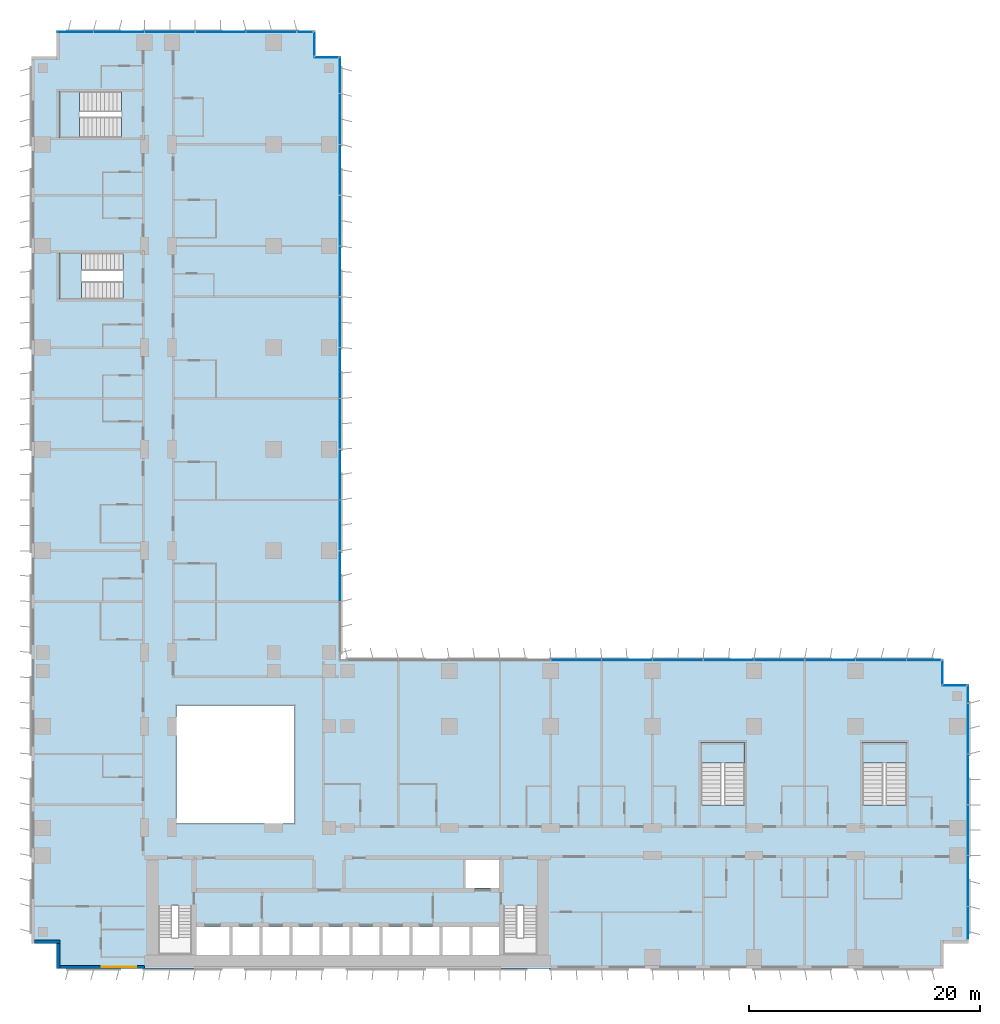
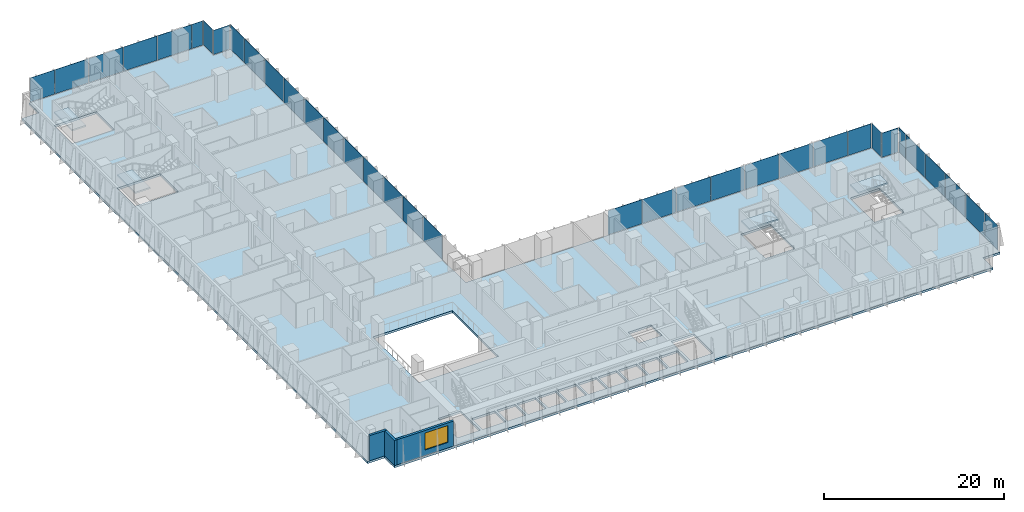
# One storey, part 11 of 24: 35 plates, 5 slabs, 3 walls, 1 window, 1 opening, 12 elements without a shape of their own.
"""IFC4 building model written with IfcOpenShell, lengths in metres."""

from ifc_helpers import new_model, si_unit, direction, frame, frame_2d, origin, origin_2d, place, context, subcontext, project, spatial, polyline, rectangle, outline, extrude, source, transform, mapped, material, layer, layer_set, type_object, element, fill, aggregate, save


model = new_model("IFC4")

# Units and contexts
model_context = context("Model", 3, precision=1e-05, world=origin(), true_north=direction((0.0, 1.0)))
body_context = subcontext(model_context, "Body", "Model", "MODEL_VIEW")
ifc_project = project(units=[si_unit("LENGTHUNIT", "METRE"), si_unit("AREAUNIT", "SQUARE_METRE"), si_unit("VOLUMEUNIT", "CUBIC_METRE"), si_unit("PLANEANGLEUNIT", "RADIAN"), si_unit("MASSUNIT", "GRAM", prefix="KILO")], contexts=[model_context])

# Site, building, storey
site_placement = place(None, origin())
site = spatial("IfcSite", under=ifc_project, at=site_placement, CompositionType="ELEMENT")
building_placement = place(site_placement, origin())
building = spatial("IfcBuilding", under=site, at=building_placement, Name="Kemantara Hotel Tower", CompositionType="ELEMENT")
storey_placement = place(building_placement, frame((0.0, 0.0, 48.800048828125)))
storey = spatial("IfcBuildingStorey", under=building, at=storey_placement, Name="L10", CompositionType="ELEMENT", Elevation=48.800048828125)

# Slab
ifc_material_1 = material(Name="Concrete fc 40 MPa", Category="concrete")
ifc_layer_1 = layer(ifc_material_1, 0.300048828125)
ifc_layer_set_1 = layer_set([ifc_layer_1], Name="Concrete fc 40 MPa")
slab_type_1 = type_object("IfcSlabType", Name="POST-TENSIONED FLAT PLATE 300", PredefinedType="FLOOR", material=ifc_layer_set_1)
slab_1_placement = place(storey_placement, frame((0.0, 0.0, -0.300048828125)))
element("IfcSlab", 1, at=slab_1_placement, inside=storey, type_object=slab_type_1, Name="FLOOR SLAB L10", PredefinedType="FLOOR", context=body_context, shape_type="SweptSolid", body=[
    extrude(outline(polyline([(0.0, 2.199951171875), (2.199951171875, 2.199951171875), (2.199951171875, 0.0), (79.0, 0.0), (79.0, 2.199951171875), (81.199951171875, 2.199951171875), (81.199951171875, 24.60009765625), (79.0, 24.60009765625), (79.0, 26.800048828125), (26.800048828125, 26.800048828125), (26.800048828125, 79.0), (24.60009765625, 79.0), (24.60009765625, 81.199951171875), (2.199951171875, 81.199951171875), (2.199951171875, 79.0), (0.0, 79.0), (0.0, 2.199951171875)]), holes=[polyline([(17.175048828125, 1.199951171875), (14.22509765625, 1.199951171875), (14.22509765625, 3.60009765625), (17.175048828125, 3.60009765625), (17.175048828125, 1.199951171875)]), polyline([(19.77490234375, 1.199951171875), (17.425048828125, 1.199951171875), (17.425048828125, 3.60009765625), (19.77490234375, 3.60009765625), (19.77490234375, 1.199951171875)]), polyline([(22.375, 1.199951171875), (20.02490234375, 1.199951171875), (20.02490234375, 3.60009765625), (22.375, 3.60009765625), (22.375, 1.199951171875)]), polyline([(24.97509765625, 1.199951171875), (22.625, 1.199951171875), (22.625, 3.60009765625), (24.97509765625, 3.60009765625), (24.97509765625, 1.199951171875)]), polyline([(27.574951171875, 1.199951171875), (25.22509765625, 1.199951171875), (25.22509765625, 3.60009765625), (27.574951171875, 3.60009765625), (27.574951171875, 1.199951171875)]), polyline([(11.0, 1.199951171875), (11.0, 5.49951171875), (13.89990234375, 5.49951171875), (13.89990234375, 1.199951171875), (11.0, 1.199951171875)]), polyline([(22.800048828125, 12.60009765625), (12.60009765625, 12.60009765625), (12.60009765625, 22.800048828125), (22.800048828125, 22.800048828125), (22.800048828125, 12.60009765625)]), polyline([(7.949462890625, 62.0), (7.949462890625, 58.0), (2.39990234375, 58.0), (2.39990234375, 62.0), (7.949462890625, 62.0)]), polyline([(7.79931640625, 76.0), (7.79931640625, 72.0), (2.39990234375, 72.0), (2.39990234375, 76.0), (7.79931640625, 76.0)]), polyline([(30.175048828125, 1.199951171875), (27.824951171875, 1.199951171875), (27.824951171875, 3.60009765625), (30.175048828125, 3.60009765625), (30.175048828125, 1.199951171875)]), polyline([(32.77490234375, 1.199951171875), (30.425048828125, 1.199951171875), (30.425048828125, 3.60009765625), (32.77490234375, 3.60009765625), (32.77490234375, 1.199951171875)]), polyline([(35.375, 1.199951171875), (33.02490234375, 1.199951171875), (33.02490234375, 3.60009765625), (35.375, 3.60009765625), (35.375, 1.199951171875)]), polyline([(37.97509765625, 1.199951171875), (35.625, 1.199951171875), (35.625, 3.60009765625), (37.97509765625, 3.60009765625), (37.97509765625, 1.199951171875)]), polyline([(40.574951171875, 1.199951171875), (38.22509765625, 1.199951171875), (38.22509765625, 3.60009765625), (40.574951171875, 3.60009765625), (40.574951171875, 1.199951171875)]), polyline([(40.89990234375, 1.199951171875), (40.89990234375, 5.49951171875), (43.800048828125, 5.49951171875), (43.800048828125, 1.199951171875), (40.89990234375, 1.199951171875)]), polyline([(40.574951171875, 7.0), (37.625, 7.0), (37.625, 9.39990234375), (40.574951171875, 9.39990234375), (40.574951171875, 7.0)]), polyline([(61.800048828125, 14.20068359375), (58.0, 14.20068359375), (58.0, 19.60009765625), (61.800048828125, 19.60009765625), (61.800048828125, 14.20068359375)]), polyline([(75.800048828125, 14.20068359375), (72.0, 14.20068359375), (72.0, 19.60009765625), (75.800048828125, 19.60009765625), (75.800048828125, 14.20068359375)])]), origin(), (0.0, 0.0, 1.0), 0.300048828125),
])

# Stair, slab
stair_type_1 = type_object("IfcStairType", Name="Stair 1800 wide 22 risers of 168 x 360 mm", PredefinedType="HALF_TURN_STAIR", material=ifc_material_1)
stair_1_placement = place(storey_placement, origin())
stair_1 = element("IfcStair", 2, at=stair_1_placement, inside=storey, type_object=stair_type_1, Name="L10 Exit stair ST3", PredefinedType="HALF_TURN_STAIR")
ifc_layer_2 = layer(ifc_material_1, 0.199951171875)
ifc_layer_set_2 = layer_set([ifc_layer_2], Name="Concrete fc 40 MPa")
slab_type_2 = type_object("IfcSlabType", Name="Stair landing 200 mm", PredefinedType="LANDING", material=ifc_layer_set_2)
slab_2_placement = place(storey_placement, frame((0.0, 0.0, 1.64990234375)))
slab_2 = element("IfcSlab", 3, at=slab_2_placement, type_object=slab_type_2, Name="ST3 landing 1", PredefinedType="LANDING", context=body_context, shape_type="SweptSolid", body=[
    extrude(outline(polyline([(61.800048828125, 17.800048828125), (61.800048828125, 19.60009765625), (58.0, 19.60009765625), (58.0, 17.800048828125), (61.800048828125, 17.800048828125)])), origin(), (0.0, 0.0, 1.0), 0.199951171875),
])
aggregate(stair_1, [slab_2])

stair_type_2 = type_object("IfcStairType", Name="Stair 1550 wide 22 risers of 168 x 360 mm", PredefinedType="HALF_TURN_STAIR", material=ifc_material_1)
stair_2_placement = place(storey_placement, origin())
stair_2 = element("IfcStair", 4, at=stair_2_placement, inside=storey, type_object=stair_type_2, Name="L10 Exit stair ST4", PredefinedType="HALF_TURN_STAIR")
slab_3_placement = place(storey_placement, frame((0.0, 0.0, 1.64990234375)))
slab_3 = element("IfcSlab", 5, at=slab_3_placement, type_object=slab_type_2, Name="ST4 landing 1", PredefinedType="LANDING", context=body_context, shape_type="SweptSolid", body=[
    extrude(outline(polyline([(4.35009765625, 62.0), (2.39990234375, 62.0), (2.39990234375, 58.0), (4.35009765625, 58.0), (4.35009765625, 62.0)])), origin(), (0.0, 0.0, 1.0), 0.199951171875),
])
aggregate(stair_2, [slab_3])

stair_3_placement = place(storey_placement, origin())
stair_3 = element("IfcStair", 6, at=stair_3_placement, inside=storey, type_object=stair_type_1, Name="L10 Exit stair ST5", PredefinedType="HALF_TURN_STAIR")
slab_4_placement = place(storey_placement, frame((0.0, 0.0, 1.64990234375)))
slab_4 = element("IfcSlab", 7, at=slab_4_placement, type_object=slab_type_2, Name="ST5 landing 1", PredefinedType="LANDING", context=body_context, shape_type="SweptSolid", body=[
    extrude(outline(polyline([(75.800048828125, 17.800048828125), (75.800048828125, 19.60009765625), (72.0, 19.60009765625), (72.0, 17.800048828125), (75.800048828125, 17.800048828125)])), origin(), (0.0, 0.0, 1.0), 0.199951171875),
])
aggregate(stair_3, [slab_4])

stair_4_placement = place(storey_placement, origin())
stair_4 = element("IfcStair", 8, at=stair_4_placement, inside=storey, type_object=stair_type_1, Name="L10 Exit stair ST6", PredefinedType="HALF_TURN_STAIR")
slab_5_placement = place(storey_placement, frame((0.0, 0.0, 1.64990234375)))
slab_5 = element("IfcSlab", 9, at=slab_5_placement, type_object=slab_type_2, Name="ST6 landing 1", PredefinedType="LANDING", context=body_context, shape_type="SweptSolid", body=[
    extrude(outline(polyline([(4.199951171875, 76.0), (2.39990234375, 76.0), (2.39990234375, 72.0), (4.199951171875, 72.0), (4.199951171875, 76.0)])), origin(), (0.0, 0.0, 1.0), 0.199951171875),
])
aggregate(stair_4, [slab_5])

# Curtain wall, plates
ifc_material_2 = material(Name="Low-E tinted double insulated glass 36 mm", Category="glass")
curtain_wall_type = type_object("IfcCurtainWallType", Name="TOWER CURTAIN WALL, FRONT FACES", PredefinedType="USERDEFINED", material=ifc_material_2)
curtain_wall_1_placement = place(storey_placement, origin())
curtain_wall_1 = element("IfcCurtainWall", 10, at=curtain_wall_1_placement, inside=storey, type_object=curtain_wall_type, Name="CW4 L10 T1-R04-1", ObjectType="TOWER CURTAIN WALL, FRONT FACES", PredefinedType="USERDEFINED")
ifc_layer_3 = layer(ifc_material_2, 0.035888671875)
ifc_layer_set_3 = layer_set([ifc_layer_3], Name="Low-E tinted double insulated glass 36 mm")
plate_type = type_object("IfcPlateType", Name="TOWER CURTAIN WALL, FRONT FACES PANEL", PredefinedType="CURTAIN_PANEL", material=ifc_layer_set_3)
shared_shape_1 = source(origin(), body_context, "Body", "SweptSolid", [
    extrude(rectangle(XDim=2.81005859375, YDim=0.035888671875, at=origin_2d()), origin(), (0.0, 0.0, 1.0), 3.280029296875),
])
plate_1_placement = place(storey_placement, frame((81.125, 3.965087890625, 0.1201171875), z_axis=(0.0, 0.0, 1.0), x_axis=(0.0, 1.0, 0.0)))
plate_1 = element("IfcPlate", 11, at=plate_1_placement, type_object=plate_type, Name="CW4 glass panel T1-R04-1.1", PredefinedType="CURTAIN_PANEL", context=body_context, shape_type="MappedRepresentation", body=[
    mapped(shared_shape_1, transform((0.0, 0.0, 0.0))),
])
shared_shape_2 = source(origin(), body_context, "Body", "SweptSolid", [
    extrude(rectangle(XDim=4.340087890625, YDim=0.035888671875, at=origin_2d()), origin(), (0.0, 0.0, 1.0), 3.280029296875),
])
plate_2_placement = place(storey_placement, frame((81.125, 7.60009765625, 0.1201171875), z_axis=(0.0, 0.0, 1.0), x_axis=(0.0, 1.0, 0.0)))
plate_2 = element("IfcPlate", 12, at=plate_2_placement, type_object=plate_type, Name="CW4 glass panel T1-R04-1.2", PredefinedType="CURTAIN_PANEL", context=body_context, shape_type="MappedRepresentation", body=[
    mapped(shared_shape_2, transform((0.0, 0.0, 0.0))),
])
plate_3_placement = place(storey_placement, frame((81.125, 12.0, 0.1201171875), z_axis=(0.0, 0.0, 1.0), x_axis=(0.0, 1.0, 0.0)))
plate_3 = element("IfcPlate", 13, at=plate_3_placement, type_object=plate_type, Name="CW4 glass panel T1-R04-1.3", PredefinedType="CURTAIN_PANEL", context=body_context, shape_type="MappedRepresentation", body=[
    mapped(shared_shape_2, transform((0.0, 0.0, 0.0))),
])
plate_4_placement = place(storey_placement, frame((81.125, 16.39990234375, 0.1201171875), z_axis=(0.0, 0.0, 1.0), x_axis=(0.0, 1.0, 0.0)))
plate_4 = element("IfcPlate", 14, at=plate_4_placement, type_object=plate_type, Name="CW4 glass panel T1-R04-1.4", PredefinedType="CURTAIN_PANEL", context=body_context, shape_type="MappedRepresentation", body=[
    mapped(shared_shape_2, transform((0.0, 0.0, 0.0))),
])
plate_5_placement = place(storey_placement, frame((81.125, 20.800048828125, 0.1201171875), z_axis=(0.0, 0.0, 1.0), x_axis=(0.0, 1.0, 0.0)))
plate_5 = element("IfcPlate", 15, at=plate_5_placement, type_object=plate_type, Name="CW4 glass panel T1-R04-1.5", PredefinedType="CURTAIN_PANEL", context=body_context, shape_type="MappedRepresentation", body=[
    mapped(shared_shape_2, transform((0.0, 0.0, 0.0))),
])

curtain_wall_2_placement = place(storey_placement, origin())
curtain_wall_2 = element("IfcCurtainWall", 16, at=curtain_wall_2_placement, inside=storey, type_object=curtain_wall_type, Name="CW4 L10 T1-R07-1", ObjectType="TOWER CURTAIN WALL, FRONT FACES", PredefinedType="USERDEFINED")
plate_6_placement = place(storey_placement, frame((73.60009765625, 26.72509765625, 0.1201171875), z_axis=(0.0, 0.0, 1.0), x_axis=(-1.0, 0.0, 0.0)))
plate_6 = element("IfcPlate", 17, at=plate_6_placement, type_object=plate_type, Name="CW4 glass panel T1-R07-1.2", PredefinedType="CURTAIN_PANEL", context=body_context, shape_type="MappedRepresentation", body=[
    mapped(shared_shape_2, transform((0.0, 0.0, 0.0))),
])
plate_7_placement = place(storey_placement, frame((69.199951171875, 26.72509765625, 0.1201171875), z_axis=(0.0, 0.0, 1.0), x_axis=(-1.0, 0.0, 0.0)))
plate_7 = element("IfcPlate", 18, at=plate_7_placement, type_object=plate_type, Name="CW4 glass panel T1-R07-1.3", PredefinedType="CURTAIN_PANEL", context=body_context, shape_type="MappedRepresentation", body=[
    mapped(shared_shape_2, transform((0.0, 0.0, 0.0))),
])
plate_8_placement = place(storey_placement, frame((64.800048828125, 26.72509765625, 0.1201171875), z_axis=(0.0, 0.0, 1.0), x_axis=(-1.0, 0.0, 0.0)))
plate_8 = element("IfcPlate", 19, at=plate_8_placement, type_object=plate_type, Name="CW4 glass panel T1-R07-1.4", PredefinedType="CURTAIN_PANEL", context=body_context, shape_type="MappedRepresentation", body=[
    mapped(shared_shape_2, transform((0.0, 0.0, 0.0))),
])
plate_9_placement = place(storey_placement, frame((60.39990234375, 26.72509765625, 0.1201171875), z_axis=(0.0, 0.0, 1.0), x_axis=(-1.0, 0.0, 0.0)))
plate_9 = element("IfcPlate", 20, at=plate_9_placement, type_object=plate_type, Name="CW4 glass panel T1-R07-1.5", PredefinedType="CURTAIN_PANEL", context=body_context, shape_type="MappedRepresentation", body=[
    mapped(shared_shape_2, transform((0.0, 0.0, 0.0))),
])
plate_10_placement = place(storey_placement, frame((56.0, 26.72509765625, 0.1201171875), z_axis=(0.0, 0.0, 1.0), x_axis=(-1.0, 0.0, 0.0)))
plate_10 = element("IfcPlate", 21, at=plate_10_placement, type_object=plate_type, Name="CW4 glass panel T1-R07-1.6", PredefinedType="CURTAIN_PANEL", context=body_context, shape_type="MappedRepresentation", body=[
    mapped(shared_shape_2, transform((0.0, 0.0, 0.0))),
])
plate_11_placement = place(storey_placement, frame((51.60009765625, 26.72509765625, 0.1201171875), z_axis=(0.0, 0.0, 1.0), x_axis=(-1.0, 0.0, 0.0)))
plate_11 = element("IfcPlate", 22, at=plate_11_placement, type_object=plate_type, Name="CW4 glass panel T1-R07-1.7", PredefinedType="CURTAIN_PANEL", context=body_context, shape_type="MappedRepresentation", body=[
    mapped(shared_shape_2, transform((0.0, 0.0, 0.0))),
])
plate_12_placement = place(storey_placement, frame((47.199951171875, 26.72509765625, 0.1201171875), z_axis=(0.0, 0.0, 1.0), x_axis=(-1.0, 0.0, 0.0)))
plate_12 = element("IfcPlate", 23, at=plate_12_placement, type_object=plate_type, Name="CW4 glass panel T1-R07-1.8", PredefinedType="CURTAIN_PANEL", context=body_context, shape_type="MappedRepresentation", body=[
    mapped(shared_shape_2, transform((0.0, 0.0, 0.0))),
])

curtain_wall_3_placement = place(storey_placement, origin())
curtain_wall_3 = element("IfcCurtainWall", 24, at=curtain_wall_3_placement, inside=storey, type_object=curtain_wall_type, Name="CW4 L10 T1-R08-1", ObjectType="TOWER CURTAIN WALL, FRONT FACES", PredefinedType="USERDEFINED")
plate_13_placement = place(storey_placement, frame((26.72509765625, 34.0, 0.1201171875), z_axis=(0.0, 0.0, 1.0), x_axis=(0.0, 1.0, 0.0)))
plate_13 = element("IfcPlate", 25, at=plate_13_placement, type_object=plate_type, Name="CW4 glass panel T1-R08-1.3", PredefinedType="CURTAIN_PANEL", context=body_context, shape_type="MappedRepresentation", body=[
    mapped(shared_shape_2, transform((0.0, 0.0, 0.0))),
])
plate_14_placement = place(storey_placement, frame((26.72509765625, 38.39990234375, 0.1201171875), z_axis=(0.0, 0.0, 1.0), x_axis=(0.0, 1.0, 0.0)))
plate_14 = element("IfcPlate", 26, at=plate_14_placement, type_object=plate_type, Name="CW4 glass panel T1-R08-1.4", PredefinedType="CURTAIN_PANEL", context=body_context, shape_type="MappedRepresentation", body=[
    mapped(shared_shape_2, transform((0.0, 0.0, 0.0))),
])
plate_15_placement = place(storey_placement, frame((26.72509765625, 42.800048828125, 0.1201171875), z_axis=(0.0, 0.0, 1.0), x_axis=(0.0, 1.0, 0.0)))
plate_15 = element("IfcPlate", 27, at=plate_15_placement, type_object=plate_type, Name="CW4 glass panel T1-R08-1.5", PredefinedType="CURTAIN_PANEL", context=body_context, shape_type="MappedRepresentation", body=[
    mapped(shared_shape_2, transform((0.0, 0.0, 0.0))),
])
plate_16_placement = place(storey_placement, frame((26.72509765625, 47.199951171875, 0.1201171875), z_axis=(0.0, 0.0, 1.0), x_axis=(0.0, 1.0, 0.0)))
plate_16 = element("IfcPlate", 28, at=plate_16_placement, type_object=plate_type, Name="CW4 glass panel T1-R08-1.6", PredefinedType="CURTAIN_PANEL", context=body_context, shape_type="MappedRepresentation", body=[
    mapped(shared_shape_2, transform((0.0, 0.0, 0.0))),
])
plate_17_placement = place(storey_placement, frame((26.72509765625, 51.60009765625, 0.1201171875), z_axis=(0.0, 0.0, 1.0), x_axis=(0.0, 1.0, 0.0)))
plate_17 = element("IfcPlate", 29, at=plate_17_placement, type_object=plate_type, Name="CW4 glass panel T1-R08-1.7", PredefinedType="CURTAIN_PANEL", context=body_context, shape_type="MappedRepresentation", body=[
    mapped(shared_shape_2, transform((0.0, 0.0, 0.0))),
])
plate_18_placement = place(storey_placement, frame((26.72509765625, 56.0, 0.1201171875), z_axis=(0.0, 0.0, 1.0), x_axis=(0.0, 1.0, 0.0)))
plate_18 = element("IfcPlate", 30, at=plate_18_placement, type_object=plate_type, Name="CW4 glass panel T1-R08-1.8", PredefinedType="CURTAIN_PANEL", context=body_context, shape_type="MappedRepresentation", body=[
    mapped(shared_shape_2, transform((0.0, 0.0, 0.0))),
])
plate_19_placement = place(storey_placement, frame((26.72509765625, 60.39990234375, 0.1201171875), z_axis=(0.0, 0.0, 1.0), x_axis=(0.0, 1.0, 0.0)))
plate_19 = element("IfcPlate", 31, at=plate_19_placement, type_object=plate_type, Name="CW4 glass panel T1-R08-1.9", PredefinedType="CURTAIN_PANEL", context=body_context, shape_type="MappedRepresentation", body=[
    mapped(shared_shape_2, transform((0.0, 0.0, 0.0))),
])
plate_20_placement = place(storey_placement, frame((26.72509765625, 64.800048828125, 0.1201171875), z_axis=(0.0, 0.0, 1.0), x_axis=(0.0, 1.0, 0.0)))
plate_20 = element("IfcPlate", 32, at=plate_20_placement, type_object=plate_type, Name="CW4 glass panel T1-R08-1.10", PredefinedType="CURTAIN_PANEL", context=body_context, shape_type="MappedRepresentation", body=[
    mapped(shared_shape_2, transform((0.0, 0.0, 0.0))),
])
plate_21_placement = place(storey_placement, frame((26.72509765625, 69.199951171875, 0.1201171875), z_axis=(0.0, 0.0, 1.0), x_axis=(0.0, 1.0, 0.0)))
plate_21 = element("IfcPlate", 33, at=plate_21_placement, type_object=plate_type, Name="CW4 glass panel T1-R08-1.11", PredefinedType="CURTAIN_PANEL", context=body_context, shape_type="MappedRepresentation", body=[
    mapped(shared_shape_2, transform((0.0, 0.0, 0.0))),
])
plate_22_placement = place(storey_placement, frame((26.72509765625, 73.60009765625, 0.1201171875), z_axis=(0.0, 0.0, 1.0), x_axis=(0.0, 1.0, 0.0)))
plate_22 = element("IfcPlate", 34, at=plate_22_placement, type_object=plate_type, Name="CW4 glass panel T1-R08-1.12", PredefinedType="CURTAIN_PANEL", context=body_context, shape_type="MappedRepresentation", body=[
    mapped(shared_shape_2, transform((0.0, 0.0, 0.0))),
])

curtain_wall_4_placement = place(storey_placement, origin())
curtain_wall_4 = element("IfcCurtainWall", 35, at=curtain_wall_4_placement, inside=storey, type_object=curtain_wall_type, Name="CW4 L10 T1-R11-1", ObjectType="TOWER CURTAIN WALL, FRONT FACES", PredefinedType="USERDEFINED")
plate_23_placement = place(storey_placement, frame((20.800048828125, 81.125, 0.1201171875), z_axis=(0.0, 0.0, 1.0), x_axis=(-1.0, 0.0, 0.0)))
plate_23 = element("IfcPlate", 36, at=plate_23_placement, type_object=plate_type, Name="CW4 glass panel T1-R11-1.2", PredefinedType="CURTAIN_PANEL", context=body_context, shape_type="MappedRepresentation", body=[
    mapped(shared_shape_2, transform((0.0, 0.0, 0.0))),
])
plate_24_placement = place(storey_placement, frame((16.39990234375, 81.125, 0.1201171875), z_axis=(0.0, 0.0, 1.0), x_axis=(-1.0, 0.0, 0.0)))
plate_24 = element("IfcPlate", 37, at=plate_24_placement, type_object=plate_type, Name="CW4 glass panel T1-R11-1.3", PredefinedType="CURTAIN_PANEL", context=body_context, shape_type="MappedRepresentation", body=[
    mapped(shared_shape_2, transform((0.0, 0.0, 0.0))),
])
plate_25_placement = place(storey_placement, frame((12.0, 81.125, 0.1201171875), z_axis=(0.0, 0.0, 1.0), x_axis=(-1.0, 0.0, 0.0)))
plate_25 = element("IfcPlate", 38, at=plate_25_placement, type_object=plate_type, Name="CW4 glass panel T1-R11-1.4", PredefinedType="CURTAIN_PANEL", context=body_context, shape_type="MappedRepresentation", body=[
    mapped(shared_shape_2, transform((0.0, 0.0, 0.0))),
])
plate_26_placement = place(storey_placement, frame((7.60009765625, 81.125, 0.1201171875), z_axis=(0.0, 0.0, 1.0), x_axis=(-1.0, 0.0, 0.0)))
plate_26 = element("IfcPlate", 39, at=plate_26_placement, type_object=plate_type, Name="CW4 glass panel T1-R11-1.5", PredefinedType="CURTAIN_PANEL", context=body_context, shape_type="MappedRepresentation", body=[
    mapped(shared_shape_2, transform((0.0, 0.0, 0.0))),
])

# Plate
shared_shape_3 = source(origin(), body_context, "Body", "SweptSolid", [
    extrude(rectangle(XDim=1.510009765625, YDim=0.035888671875, at=origin_2d()), origin(), (0.0, 0.0, 1.0), 3.280029296875),
])
plate_27_placement = place(storey_placement, frame((81.125, 23.784912109375, 0.1201171875), z_axis=(0.0, 0.0, 1.0), x_axis=(0.0, 1.0, 0.0)))
plate_27 = element("IfcPlate", 40, at=plate_27_placement, type_object=plate_type, Name="CW4 glass panel T1-R04-1.6", PredefinedType="CURTAIN_PANEL", context=body_context, shape_type="MappedRepresentation", body=[
    mapped(shared_shape_3, transform((0.0, 0.0, 0.0))),
])

aggregate(curtain_wall_1, [plate_1, plate_2, plate_3, plate_4, plate_5, plate_27])

shared_shape_4 = source(origin(), body_context, "Body", "SweptSolid", [
    extrude(rectangle(XDim=1.360107421875, YDim=0.035888671875, at=origin_2d()), origin(), (0.0, 0.0, 1.0), 3.280029296875),
])
plate_28_placement = place(storey_placement, frame((23.7099609375, 81.125, 0.1201171875), z_axis=(0.0, 0.0, 1.0), x_axis=(-1.0, 0.0, 0.0)))
plate_28 = element("IfcPlate", 41, at=plate_28_placement, type_object=plate_type, Name="CW4 glass panel T1-R11-1.1", PredefinedType="CURTAIN_PANEL", context=body_context, shape_type="MappedRepresentation", body=[
    mapped(shared_shape_4, transform((0.0, 0.0, 0.0))),
])

shared_shape_5 = source(origin(), body_context, "Body", "SweptSolid", [
    extrude(rectangle(XDim=3.110107421875, YDim=0.035888671875, at=origin_2d()), origin(), (0.0, 0.0, 1.0), 3.280029296875),
])
plate_29_placement = place(storey_placement, frame((26.72509765625, 77.385009765625, 0.1201171875), z_axis=(0.0, 0.0, 1.0), x_axis=(0.0, 1.0, 0.0)))
plate_29 = element("IfcPlate", 42, at=plate_29_placement, type_object=plate_type, Name="CW4 glass panel T1-R08-1.13", PredefinedType="CURTAIN_PANEL", context=body_context, shape_type="MappedRepresentation", body=[
    mapped(shared_shape_5, transform((0.0, 0.0, 0.0))),
])

aggregate(curtain_wall_3, [plate_13, plate_14, plate_15, plate_16, plate_17, plate_18, plate_19, plate_20, plate_21, plate_22, plate_29])

plate_30_placement = place(storey_placement, frame((3.81494140625, 81.125, 0.1201171875), z_axis=(0.0, 0.0, 1.0), x_axis=(-1.0, 0.0, 0.0)))
plate_30 = element("IfcPlate", 43, at=plate_30_placement, type_object=plate_type, Name="CW4 glass panel T1-R11-1.6", PredefinedType="CURTAIN_PANEL", context=body_context, shape_type="MappedRepresentation", body=[
    mapped(shared_shape_5, transform((0.0, 0.0, 0.0))),
])

aggregate(curtain_wall_4, [plate_28, plate_23, plate_24, plate_25, plate_26, plate_30])

# Curtain wall, plate
curtain_wall_5_placement = place(storey_placement, origin())
curtain_wall_5 = element("IfcCurtainWall", 44, at=curtain_wall_5_placement, inside=storey, type_object=curtain_wall_type, Name="CW4 L10 T1-R05-1", ObjectType="TOWER CURTAIN WALL, FRONT FACES", PredefinedType="USERDEFINED")
shared_shape_6 = source(origin(), body_context, "Body", "SweptSolid", [
    extrude(rectangle(XDim=2.080078125, YDim=0.035888671875, at=origin_2d()), origin(), (0.0, 0.0, 1.0), 3.280029296875),
])
plate_31_placement = place(storey_placement, frame((79.949951171875, 24.52490234375, 0.1201171875), z_axis=(0.0, 0.0, 1.0), x_axis=(-1.0, 0.0, 0.0)))
plate_31 = element("IfcPlate", 45, at=plate_31_placement, type_object=plate_type, Name="CW4 glass panel T1-R05-1.1", PredefinedType="CURTAIN_PANEL", context=body_context, shape_type="MappedRepresentation", body=[
    mapped(shared_shape_6, transform((0.0, 0.0, 0.0))),
])
aggregate(curtain_wall_5, [plate_31])

curtain_wall_6_placement = place(storey_placement, origin())
curtain_wall_6 = element("IfcCurtainWall", 46, at=curtain_wall_6_placement, inside=storey, type_object=curtain_wall_type, Name="CW4 L10 T1-R06-1", ObjectType="TOWER CURTAIN WALL, FRONT FACES", PredefinedType="USERDEFINED")
plate_32_placement = place(storey_placement, frame((78.925048828125, 25.699951171875, 0.1201171875), z_axis=(0.0, 0.0, 1.0), x_axis=(0.0, 1.0, 0.0)))
plate_32 = element("IfcPlate", 47, at=plate_32_placement, type_object=plate_type, Name="CW4 glass panel T1-R06-1.1", PredefinedType="CURTAIN_PANEL", context=body_context, shape_type="MappedRepresentation", body=[
    mapped(shared_shape_6, transform((0.0, 0.0, 0.0))),
])
aggregate(curtain_wall_6, [plate_32])

curtain_wall_7_placement = place(storey_placement, origin())
curtain_wall_7 = element("IfcCurtainWall", 48, at=curtain_wall_7_placement, inside=storey, type_object=curtain_wall_type, Name="CW4 L10 T1-R09-1", ObjectType="TOWER CURTAIN WALL, FRONT FACES", PredefinedType="USERDEFINED")
plate_33_placement = place(storey_placement, frame((25.550048828125, 78.925048828125, 0.1201171875), z_axis=(0.0, 0.0, 1.0), x_axis=(-1.0, 0.0, 0.0)))
plate_33 = element("IfcPlate", 49, at=plate_33_placement, type_object=plate_type, Name="CW4 glass panel T1-R09-1.1", PredefinedType="CURTAIN_PANEL", context=body_context, shape_type="MappedRepresentation", body=[
    mapped(shared_shape_6, transform((0.0, 0.0, 0.0))),
])
aggregate(curtain_wall_7, [plate_33])

curtain_wall_8_placement = place(storey_placement, origin())
curtain_wall_8 = element("IfcCurtainWall", 50, at=curtain_wall_8_placement, inside=storey, type_object=curtain_wall_type, Name="CW4 L10 T1-R10-1", ObjectType="TOWER CURTAIN WALL, FRONT FACES", PredefinedType="USERDEFINED")
plate_34_placement = place(storey_placement, frame((24.52490234375, 80.10009765625, 0.1201171875), z_axis=(0.0, 0.0, 1.0), x_axis=(0.0, 1.0, 0.0)))
plate_34 = element("IfcPlate", 51, at=plate_34_placement, type_object=plate_type, Name="CW4 glass panel T1-R10-1.1", PredefinedType="CURTAIN_PANEL", context=body_context, shape_type="MappedRepresentation", body=[
    mapped(shared_shape_6, transform((0.0, 0.0, 0.0))),
])
aggregate(curtain_wall_8, [plate_34])

# Plate
shared_shape_7 = source(origin(), body_context, "Body", "SweptSolid", [
    extrude(rectangle(XDim=2.9599609375, YDim=0.035888671875, at=origin_2d()), origin(), (0.0, 0.0, 1.0), 3.280029296875),
])
plate_35_placement = place(storey_placement, frame((77.31005859375, 26.72509765625, 0.1201171875), z_axis=(0.0, 0.0, 1.0), x_axis=(-1.0, 0.0, 0.0)))
plate_35 = element("IfcPlate", 52, at=plate_35_placement, type_object=plate_type, Name="CW4 glass panel T1-R07-1.1", PredefinedType="CURTAIN_PANEL", context=body_context, shape_type="MappedRepresentation", body=[
    mapped(shared_shape_7, transform((0.0, 0.0, 0.0))),
])

aggregate(curtain_wall_2, [plate_35, plate_6, plate_7, plate_8, plate_9, plate_10, plate_11, plate_12])

# Wall
ifc_material_3 = material(Name="Bronze anodised aluminium cladding on insulated steel stud wall", Category="steel")
ifc_layer_4 = layer(ifc_material_3, 0.300048828125)
ifc_layer_set_4 = layer_set([ifc_layer_4], Name="Bronze anodised aluminium cladding on insulated steel stud wall")
wall_type = type_object("IfcWallType", Name="BRONZE METAL-CLAD EXTERNAL WALL 300", PredefinedType="STANDARD", material=ifc_layer_set_4)
wall_1_placement = place(storey_placement, frame((2.35009765625, 2.199951171875, 0.0), z_axis=(0.0, 0.0, 1.0), x_axis=(0.0, -1.0, 0.0)))
element("IfcWall", 53, at=wall_1_placement, inside=storey, type_object=wall_type, Name="EXTERNAL WALL L10 T1-R00", PredefinedType="STANDARD", context=body_context, shape_type="SweptSolid", body=[
    extrude(rectangle(XDim=2.199951171875, YDim=0.300048828125, at=frame_2d((1.10009765625, 0.0))), origin(), (0.0, 0.0, 1.0), 3.39990234375),
])

# Wall, opening, window
wall_2_placement = place(storey_placement, frame((2.5, 0.14990234375, 0.0), z_axis=(0.0, 0.0, 1.0), x_axis=(1.0, 0.0, 0.0)))
wall_2 = element("IfcWall", 54, at=wall_2_placement, inside=storey, type_object=wall_type, Name="EXTERNAL WALL L10 T1-R01", PredefinedType="STANDARD", context=body_context, shape_type="SweptSolid", body=[
    extrude(rectangle(XDim=7.300048828125, YDim=0.300048828125, at=frame_2d((3.64990234375, 0.0))), origin(), (0.0, 0.0, 1.0), 3.39990234375),
])
opening_placement = place(wall_2_placement, frame((3.60009765625, 0.0, 0.75)))
opening = element("IfcOpeningElement", 55, at=opening_placement, cuts=wall_2, Name="Opening W1", PredefinedType="OPENING", context=body_context, shape_type="SweptSolid", body=[
    extrude(rectangle(XDim=3.0, YDim=2.300048828125, at=frame_2d((1.5, 1.14990234375))), frame((0.0, 0.159912109375, 0.0), z_axis=(0.0, -1.0, 0.0), x_axis=(1.0, 0.0, 0.0)), (0.0, 0.0, 1.0), 0.320068359375),
])
ifc_material_4 = material(Name="Low-E tinted double insulated glass in bronze anodised aluminium frame", Category="aluminium")
window_type = type_object("IfcWindowType", Name="CHICAGO WINDOW, TRIPLE PANEL 3000x2300", PartitioningType="TRIPLE_PANEL_VERTICAL", PredefinedType="WINDOW", material=ifc_material_4)
window_placement = place(opening_placement, origin())
window = element("IfcWindow", 56, at=window_placement, inside=storey, type_object=window_type, Name="CHICAGO WINDOW L10 T1-R01-54", OverallHeight=2.300048828125, OverallWidth=3.0, PartitioningType="SINGLE_PANEL", PredefinedType="WINDOW", context=body_context, shape_type="SweptSolid", body=[
    extrude(rectangle(XDim=3.0, YDim=2.300048828125, at=frame_2d((1.5, 1.14990234375))), frame((0.0, 0.030029296875, 0.0), z_axis=(0.0, -1.0, 0.0), x_axis=(1.0, 0.0, 0.0)), (0.0, 0.0, 1.0), 0.06005859375),
])
fill(opening, window)

# Wall
wall_3_placement = place(storey_placement, frame((0.300048828125, 2.35009765625, 0.0), z_axis=(0.0, 0.0, 1.0), x_axis=(1.0, 0.0, 0.0)))
element("IfcWall", 57, at=wall_3_placement, inside=storey, type_object=wall_type, Name="EXTERNAL WALL L10 T1-R15", PredefinedType="STANDARD", context=body_context, shape_type="SweptSolid", body=[
    extrude(rectangle(XDim=2.199951171875, YDim=0.300048828125, at=frame_2d((1.10009765625, 0.0))), origin(), (0.0, 0.0, 1.0), 3.39990234375),
])

save(model, "model.ifc")
